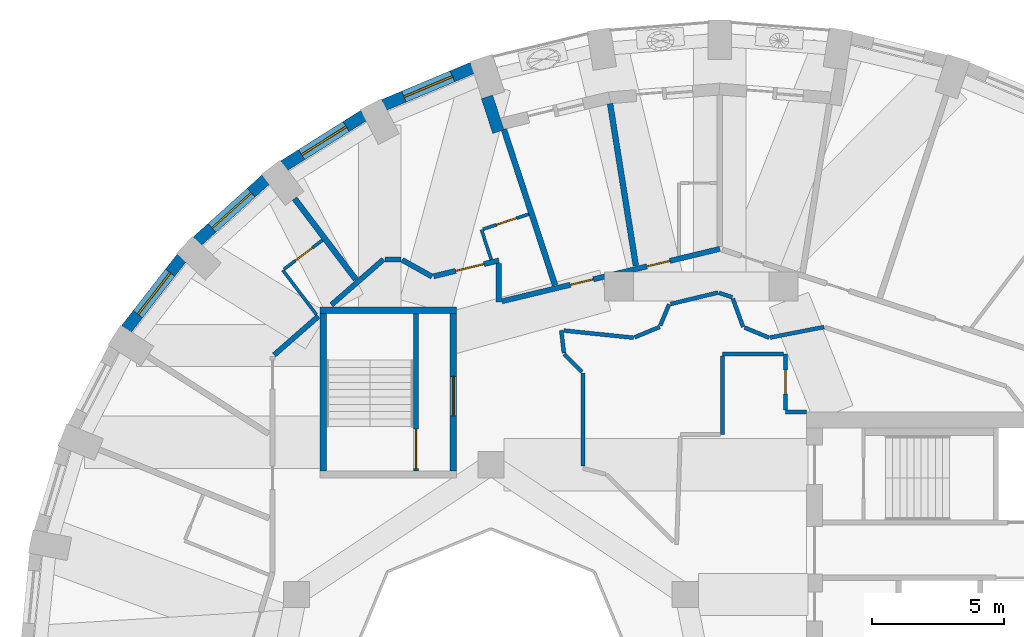
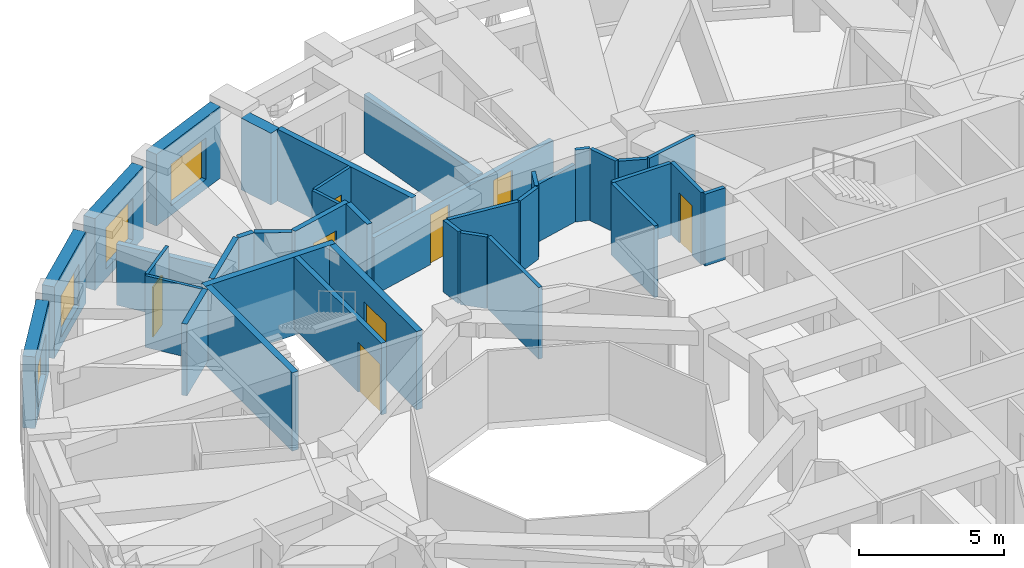
# One storey, part 7 of 12: 38 walls, 8 doors, 4 windows, 12 openings.
"""IFC4 building model written with IfcOpenShell, lengths in metres."""

from ifc_helpers import new_model, si_unit, direction, frame, frame_2d, origin, place, context, subcontext, project, spatial, rectangle, extrude, material, layer, layer_set, type_object, element, fill, save


model = new_model("IFC4")

# Units and contexts
model_context = context("Model", 3, precision=1e-05, world=origin(), true_north=direction((0.0, 1.0)))
body_context = subcontext(model_context, "Body", "Model", "MODEL_VIEW")
ifc_project = project(units=[si_unit("LENGTHUNIT", "METRE"), si_unit("AREAUNIT", "SQUARE_METRE"), si_unit("VOLUMEUNIT", "CUBIC_METRE"), si_unit("PLANEANGLEUNIT", "RADIAN"), si_unit("MASSUNIT", "GRAM", prefix="KILO")], contexts=[model_context])

# Site, building, storey
site_placement = place(None, origin())
site = spatial("IfcSite", under=ifc_project, at=site_placement, CompositionType="ELEMENT")
building_placement = place(site_placement, origin())
building = spatial("IfcBuilding", under=site, at=building_placement, Name="Taillehof Tower", CompositionType="ELEMENT")
storey_placement = place(building_placement, frame((0.0, 0.0, 218.89990234375)))
storey = spatial("IfcBuildingStorey", under=building, at=storey_placement, Name="L62", CompositionType="ELEMENT", Elevation=218.89990234375)

# Wall, opening, window
ifc_material_1 = material(Name="Brick masonry", Category="masonry")
ifc_layer_1 = layer(ifc_material_1, 0.449951171875)
ifc_layer_set_1 = layer_set([ifc_layer_1], Name="Brick infill wall 450")
wall_type_1 = type_object("IfcWallType", Name="Brick infill wall 450", PredefinedType="SOLIDWALL", material=ifc_layer_set_1)
wall_1_placement = place(storey_placement, frame((-8.70263671875, 23.0791015625, 0.0), z_axis=(0.0, 0.0, 1.0), x_axis=(-0.922168222612, -0.386789050006, 0.0)))
wall_1 = element("IfcWall", 1, at=wall_1_placement, inside=storey, type_object=wall_type_1, Name="Brick wall L62 bay 12", PredefinedType="SOLIDWALL", context=body_context, shape_type="SweptSolid", body=[
    extrude(rectangle(XDim=3.65087890625, YDim=0.449951171875, at=frame_2d((1.825439453125, 0.0))), origin(), (0.0, 0.0, 1.0), 3.02001953125),
])
opening_1_placement = place(wall_1_placement, frame((0.825439453125, 0.0, 0.39990234375)))
opening_1 = element("IfcOpeningElement", 2, at=opening_1_placement, cuts=wall_1, Name="Opening W2", PredefinedType="OPENING", context=body_context, shape_type="SweptSolid", body=[
    extrude(rectangle(XDim=2.0, YDim=1.75, at=frame_2d((1.0, 0.875))), frame((0.0, 0.23486328125, 0.0), z_axis=(0.0, -1.0, 0.0), x_axis=(1.0, 0.0, 0.0)), (0.0, 0.0, 1.0), 0.469970703125),
])
ifc_material_2 = material(Name="Aluminium window frame with clear double glazing", Category="aluminium")
window_type = type_object("IfcWindowType", Name="Deep-set window 2000x1750", PartitioningType="SINGLE_PANEL", PredefinedType="WINDOW", material=ifc_material_2)
window_1_placement = place(opening_1_placement, origin())
window_1 = element("IfcWindow", 3, at=window_1_placement, inside=storey, type_object=window_type, Name="W2", OverallHeight=1.75, OverallWidth=2.0, PartitioningType="SINGLE_PANEL", PredefinedType="WINDOW", context=body_context, shape_type="SweptSolid", body=[
    extrude(rectangle(XDim=2.0, YDim=1.75, at=frame_2d((1.0, 0.875))), frame((0.0, 0.034912109375, 0.0), z_axis=(0.0, -1.0, 0.0), x_axis=(1.0, 0.0, 0.0)), (0.0, 0.0, 1.0), 0.06005859375),
])
fill(opening_1, window_1)

wall_2_placement = place(storey_placement, frame((-12.832275390625, 21.27001953125, 0.0), z_axis=(0.0, 0.0, 1.0), x_axis=(-0.846138482752, -0.532963101918, 0.0)))
wall_2 = element("IfcWall", 4, at=wall_2_placement, inside=storey, type_object=wall_type_1, Name="Brick wall L62 bay 13", PredefinedType="SOLIDWALL", context=body_context, shape_type="SweptSolid", body=[
    extrude(rectangle(XDim=3.586669921875, YDim=0.449951171875, at=frame_2d((1.79345703125, 0.0))), origin(), (0.0, 0.0, 1.0), 3.02001953125),
])
opening_2_placement = place(wall_2_placement, frame((0.79345703125, 0.0, 0.39990234375)))
opening_2 = element("IfcOpeningElement", 5, at=opening_2_placement, cuts=wall_2, Name="Opening W2", PredefinedType="OPENING", context=body_context, shape_type="SweptSolid", body=[
    extrude(rectangle(XDim=2.0, YDim=1.75, at=frame_2d((1.0, 0.875))), frame((0.0, 0.23486328125, 0.0), z_axis=(0.0, -1.0, 0.0), x_axis=(1.0, 0.0, 0.0)), (0.0, 0.0, 1.0), 0.469970703125),
])
window_2_placement = place(opening_2_placement, origin())
window_2 = element("IfcWindow", 6, at=window_2_placement, inside=storey, type_object=window_type, Name="W2", OverallHeight=1.75, OverallWidth=2.0, PartitioningType="SINGLE_PANEL", PredefinedType="WINDOW", context=body_context, shape_type="SweptSolid", body=[
    extrude(rectangle(XDim=2.0, YDim=1.75, at=frame_2d((1.0, 0.875))), frame((0.0, 0.034912109375, 0.0), z_axis=(0.0, -1.0, 0.0), x_axis=(1.0, 0.0, 0.0)), (0.0, 0.0, 1.0), 0.06005859375),
])
fill(opening_2, window_2)

wall_3_placement = place(storey_placement, frame((-16.553466796875, 18.83984375, 0.0), z_axis=(0.0, 0.0, 1.0), x_axis=(-0.743442727602, -0.668799604348, 0.0)))
wall_3 = element("IfcWall", 7, at=wall_3_placement, inside=storey, type_object=wall_type_1, Name="Brick wall L62 bay 14", PredefinedType="SOLIDWALL", context=body_context, shape_type="SweptSolid", body=[
    extrude(rectangle(XDim=3.5126953125, YDim=0.449951171875, at=frame_2d((1.75634765625, 0.0))), origin(), (0.0, 0.0, 1.0), 3.02001953125),
])
opening_3_placement = place(wall_3_placement, frame((0.75634765625, 0.0, 0.39990234375)))
opening_3 = element("IfcOpeningElement", 8, at=opening_3_placement, cuts=wall_3, Name="Opening W2", PredefinedType="OPENING", context=body_context, shape_type="SweptSolid", body=[
    extrude(rectangle(XDim=2.0, YDim=1.75, at=frame_2d((1.0, 0.875))), frame((0.0, 0.23486328125, 0.0), z_axis=(0.0, -1.0, 0.0), x_axis=(1.0, 0.0, 0.0)), (0.0, 0.0, 1.0), 0.469970703125),
])
window_3_placement = place(opening_3_placement, origin())
window_3 = element("IfcWindow", 9, at=window_3_placement, inside=storey, type_object=window_type, Name="W2", OverallHeight=1.75, OverallWidth=2.0, PartitioningType="SINGLE_PANEL", PredefinedType="WINDOW", context=body_context, shape_type="SweptSolid", body=[
    extrude(rectangle(XDim=2.0, YDim=1.75, at=frame_2d((1.0, 0.875))), frame((0.0, 0.034912109375, 0.0), z_axis=(0.0, -1.0, 0.0), x_axis=(1.0, 0.0, 0.0)), (0.0, 0.0, 1.0), 0.06005859375),
])
fill(opening_3, window_3)

wall_4_placement = place(storey_placement, frame((-19.751220703125, 15.861083984375, 0.0), z_axis=(0.0, 0.0, 1.0), x_axis=(-0.614220816451, -0.789134201919, 0.0)))
wall_4 = element("IfcWall", 10, at=wall_4_placement, inside=storey, type_object=wall_type_1, Name="Brick wall L62 bay 15", PredefinedType="SOLIDWALL", context=body_context, shape_type="SweptSolid", body=[
    extrude(rectangle(XDim=3.437744140625, YDim=0.449951171875, at=frame_2d((1.71875, 0.0))), origin(), (0.0, 0.0, 1.0), 3.02001953125),
])
opening_4_placement = place(wall_4_placement, frame((0.71875, 0.0, 0.39990234375)))
opening_4 = element("IfcOpeningElement", 11, at=opening_4_placement, cuts=wall_4, Name="Opening W2", PredefinedType="OPENING", context=body_context, shape_type="SweptSolid", body=[
    extrude(rectangle(XDim=2.0, YDim=1.75, at=frame_2d((1.0, 0.875))), frame((0.0, 0.23486328125, 0.0), z_axis=(0.0, -1.0, 0.0), x_axis=(1.0, 0.0, 0.0)), (0.0, 0.0, 1.0), 0.469970703125),
])
window_4_placement = place(opening_4_placement, origin())
window_4 = element("IfcWindow", 12, at=window_4_placement, inside=storey, type_object=window_type, Name="W2", OverallHeight=1.75, OverallWidth=2.0, PartitioningType="SINGLE_PANEL", PredefinedType="WINDOW", context=body_context, shape_type="SweptSolid", body=[
    extrude(rectangle(XDim=2.0, YDim=1.75, at=frame_2d((1.0, 0.875))), frame((0.0, 0.034912109375, 0.0), z_axis=(0.0, -1.0, 0.0), x_axis=(1.0, 0.0, 0.0)), (0.0, 0.0, 1.0), 0.06005859375),
])
fill(opening_4, window_4)

# Walls
wall_5_placement = place(storey_placement, frame((-8.14990234375, 21.9765625, 0.0), z_axis=(0.0, 0.0, 1.0), x_axis=(0.312062715826, -0.950061504005, 0.0)))
element("IfcWall", 13, at=wall_5_placement, inside=storey, type_object=wall_type_1, Name="Brick reveal L62 pocket 2", PredefinedType="SOLIDWALL", context=body_context, shape_type="SweptSolid", body=[
    extrude(rectangle(XDim=1.39013671875, YDim=0.449951171875, at=frame_2d((0.695068359375, 0.0))), origin(), (0.0, 0.0, 1.0), 3.02001953125),
])
ifc_material_3 = material(Name="Gypsum board on steel studs, two layers each side", Category="steel")
ifc_layer_2 = layer(ifc_material_3, 0.199951171875)
ifc_layer_set_2 = layer_set([ifc_layer_2], Name="Compartment wall corridor 200")
wall_type_2 = type_object("IfcWallType", Name="Compartment wall corridor 200", PredefinedType="PARTITIONING", material=ifc_layer_set_2)
wall_6_placement = place(storey_placement, frame((-16.239501953125, 12.167724609375, 0.0), z_axis=(0.0, 0.0, 1.0), x_axis=(0.752820521129, 0.658225844956, 0.0)))
element("IfcWall", 14, at=wall_6_placement, inside=storey, type_object=wall_type_2, Name="Compartment wall", PredefinedType="PARTITIONING", context=body_context, shape_type="SweptSolid", body=[
    extrude(rectangle(XDim=2.232421875, YDim=0.199951171875, at=frame_2d((1.1162109375, 0.0))), origin(), (0.0, 0.0, 1.0), 3.02001953125),
])
wall_7_placement = place(storey_placement, frame((-14.062744140625, 14.071044921875, 0.0), z_axis=(0.0, 0.0, 1.0), x_axis=(0.752870230185, 0.6581689878, 0.0)))
element("IfcWall", 15, at=wall_7_placement, inside=storey, type_object=wall_type_2, Name="Compartment wall", PredefinedType="PARTITIONING", context=body_context, shape_type="SweptSolid", body=[
    extrude(rectangle(XDim=2.626953125, YDim=0.199951171875, at=frame_2d((1.3134765625, 0.0))), origin(), (0.0, 0.0, 1.0), 3.02001953125),
])
wall_8_placement = place(storey_placement, frame((-12.02490234375, 15.800048828125, 0.0), z_axis=(0.0, 0.0, 1.0), x_axis=(1.0, 0.0, 0.0)))
element("IfcWall", 16, at=wall_8_placement, inside=storey, type_object=wall_type_2, Name="Compartment wall", PredefinedType="PARTITIONING", context=body_context, shape_type="SweptSolid", body=[
    extrude(rectangle(XDim=0.614501953125, YDim=0.199951171875, at=frame_2d((0.30712890625, 0.0))), origin(), (0.0, 0.0, 1.0), 3.02001953125),
])
wall_9_placement = place(storey_placement, frame((-11.375244140625, 15.780517578125, 0.0), z_axis=(0.0, 0.0, 1.0), x_axis=(0.873538410035, -0.486755222051, 0.0)))
element("IfcWall", 17, at=wall_9_placement, inside=storey, type_object=wall_type_2, Name="Compartment wall", PredefinedType="PARTITIONING", context=body_context, shape_type="SweptSolid", body=[
    extrude(rectangle(XDim=1.303955078125, YDim=0.199951171875, at=frame_2d((0.65185546875, 0.0))), origin(), (0.0, 0.0, 1.0), 3.02001953125),
])

# Wall, opening, door
wall_10_placement = place(storey_placement, frame((-10.177490234375, 15.15966796875, 0.0), z_axis=(0.0, 0.0, 1.0), x_axis=(0.971984190663, 0.235046236094, 0.0)))
wall_10 = element("IfcWall", 18, at=wall_10_placement, inside=storey, type_object=wall_type_2, Name="Compartment wall", PredefinedType="PARTITIONING", context=body_context, shape_type="SweptSolid", body=[
    extrude(rectangle(XDim=2.548828125, YDim=0.199951171875, at=frame_2d((1.2744140625, 0.0))), origin(), (0.0, 0.0, 1.0), 3.02001953125),
])
opening_5_placement = place(wall_10_placement, frame((0.864501953125, 0.0, 0.0)))
opening_5 = element("IfcOpeningElement", 19, at=opening_5_placement, cuts=wall_10, Name="Opening D6247", PredefinedType="OPENING", context=body_context, shape_type="SweptSolid", body=[
    extrude(rectangle(XDim=1.10009765625, YDim=2.10009765625, at=frame_2d((0.550048828125, 1.050048828125))), frame((0.0, 0.10986328125, 0.0), z_axis=(0.0, -1.0, 0.0), x_axis=(1.0, 0.0, 0.0)), (0.0, 0.0, 1.0), 0.219970703125),
])
ifc_material_4 = material(Name="Timber door leaf in steel frame", Category="steel")
door_type_1 = type_object("IfcDoorType", Name="Suite entrance door EI 30 1100 x 2100", OperationType="SINGLE_SWING_LEFT", PredefinedType="DOOR", material=ifc_material_4)
door_1_placement = place(opening_5_placement, origin())
door_1 = element("IfcDoor", 20, at=door_1_placement, inside=storey, type_object=door_type_1, Name="D6247", OperationType="SINGLE_SWING_RIGHT", OverallHeight=2.10009765625, OverallWidth=1.10009765625, PredefinedType="DOOR", context=body_context, shape_type="SweptSolid", body=[
    extrude(rectangle(XDim=1.10009765625, YDim=2.10009765625, at=frame_2d((0.550048828125, 1.050048828125))), frame((0.0, 0.02490234375, 0.0), z_axis=(0.0, -1.0, 0.0), x_axis=(1.0, 0.0, 0.0)), (0.0, 0.0, 1.0), 0.050048828125),
])
fill(opening_5, door_1)

# Wall
wall_11_placement = place(storey_placement, frame((-7.699951171875, 15.638671875, 0.0), z_axis=(0.0, 0.0, 1.0), x_axis=(0.0, -1.0, 0.0)))
element("IfcWall", 21, at=wall_11_placement, inside=storey, type_object=wall_type_2, Name="Compartment wall", PredefinedType="PARTITIONING", context=body_context, shape_type="SweptSolid", body=[
    extrude(rectangle(XDim=1.458251953125, YDim=0.199951171875, at=frame_2d((0.72900390625, 0.0))), origin(), (0.0, 0.0, 1.0), 3.02001953125),
])

# Wall, openings, doors
wall_12_placement = place(storey_placement, frame((-7.582763671875, 14.208251953125, 0.0), z_axis=(0.0, 0.0, 1.0), x_axis=(0.972284712223, 0.233799996531, 0.0)))
wall_12 = element("IfcWall", 22, at=wall_12_placement, inside=storey, type_object=wall_type_2, Name="Compartment wall", PredefinedType="PARTITIONING", context=body_context, shape_type="SweptSolid", body=[
    extrude(rectangle(XDim=8.518798828125, YDim=0.199951171875, at=frame_2d((4.25927734375, 0.0))), origin(), (0.0, 0.0, 1.0), 2.420166015625),
])
opening_6_placement = place(wall_12_placement, frame((5.66650390625, 0.0, 0.0)))
opening_6 = element("IfcOpeningElement", 23, at=opening_6_placement, cuts=wall_12, Name="Opening D6244", PredefinedType="OPENING", context=body_context, shape_type="SweptSolid", body=[
    extrude(rectangle(XDim=0.89990234375, YDim=2.10009765625, at=frame_2d((0.449951171875, 1.050048828125))), frame((0.0, 0.10986328125, 0.0), z_axis=(0.0, -1.0, 0.0), x_axis=(1.0, 0.0, 0.0)), (0.0, 0.0, 1.0), 0.219970703125),
])
opening_7_placement = place(wall_12_placement, frame((2.67431640625, 0.0, 0.0)))
opening_7 = element("IfcOpeningElement", 24, at=opening_7_placement, cuts=wall_12, Name="Opening D6246", PredefinedType="OPENING", context=body_context, shape_type="SweptSolid", body=[
    extrude(rectangle(XDim=0.89990234375, YDim=2.10009765625, at=frame_2d((0.449951171875, 1.050048828125))), frame((0.0, 0.10986328125, 0.0), z_axis=(0.0, -1.0, 0.0), x_axis=(1.0, 0.0, 0.0)), (0.0, 0.0, 1.0), 0.219970703125),
])
ifc_material_5 = material(Name="Timber door leaf in steel frame", Category="steel")
door_type_2 = type_object("IfcDoorType", Name="Guest room door EI 30 900 x 2100", OperationType="SINGLE_SWING_LEFT", PredefinedType="DOOR", material=ifc_material_5)
door_2_placement = place(opening_6_placement, origin())
door_2 = element("IfcDoor", 25, at=door_2_placement, inside=storey, type_object=door_type_2, Name="D6244", OperationType="SINGLE_SWING_LEFT", OverallHeight=2.10009765625, OverallWidth=0.89990234375, PredefinedType="DOOR", context=body_context, shape_type="SweptSolid", body=[
    extrude(rectangle(XDim=0.89990234375, YDim=2.10009765625, at=frame_2d((0.449951171875, 1.050048828125))), frame((0.0, 0.02490234375, 0.0), z_axis=(0.0, -1.0, 0.0), x_axis=(1.0, 0.0, 0.0)), (0.0, 0.0, 1.0), 0.050048828125),
])
fill(opening_6, door_2)
ifc_material_6 = material(Name="Timber door leaf in steel frame", Category="steel")
door_type_3 = type_object("IfcDoorType", Name="Service room door EI 30 900 x 2100", OperationType="SINGLE_SWING_LEFT", PredefinedType="DOOR", material=ifc_material_6)
door_3_placement = place(opening_7_placement, origin())
door_3 = element("IfcDoor", 26, at=door_3_placement, inside=storey, type_object=door_type_3, Name="D6246", OperationType="SINGLE_SWING_LEFT", OverallHeight=2.10009765625, OverallWidth=0.89990234375, PredefinedType="DOOR", context=body_context, shape_type="SweptSolid", body=[
    extrude(rectangle(XDim=0.89990234375, YDim=2.10009765625, at=frame_2d((0.449951171875, 1.050048828125))), frame((0.0, 0.02490234375, 0.0), z_axis=(0.0, -1.0, 0.0), x_axis=(1.0, 0.0, 0.0)), (0.0, 0.0, 1.0), 0.050048828125),
])
fill(opening_7, door_3)

# Walls
ifc_material_7 = material(Name="Gypsum board on double steel studs with mineral wool", Category="steel")
ifc_layer_3 = layer(ifc_material_7, 0.219970703125)
ifc_layer_set_3 = layer_set([ifc_layer_3], Name="Compartment wall guest room 220")
wall_type_3 = type_object("IfcWallType", Name="Compartment wall guest room 220", PredefinedType="PARTITIONING", material=ifc_layer_set_3)
wall_13_placement = place(storey_placement, frame((-3.470947265625, 21.719482421875, 0.0), z_axis=(0.0, 0.0, 1.0), x_axis=(0.157105510173, -0.987581823786, 0.0)))
element("IfcWall", 27, at=wall_13_placement, inside=storey, type_object=wall_type_3, Name="Compartment wall", PredefinedType="PARTITIONING", context=body_context, shape_type="SweptSolid", body=[
    extrude(rectangle(XDim=6.24072265625, YDim=0.219970703125, at=frame_2d((3.120361328125, 0.0))), origin(), (0.0, 0.0, 1.0), 2.47021484375),
])
wall_14_placement = place(storey_placement, frame((-7.508056640625, 20.743408203125, 0.0), z_axis=(0.0, 0.0, 1.0), x_axis=(0.311985211021, -0.95008695818, 0.0)))
element("IfcWall", 28, at=wall_14_placement, inside=storey, type_object=wall_type_3, Name="Compartment wall", PredefinedType="PARTITIONING", context=body_context, shape_type="SweptSolid", body=[
    extrude(rectangle(XDim=6.23681640625, YDim=0.219970703125, at=frame_2d((3.118408203125, 0.0))), origin(), (0.0, 0.0, 1.0), 3.02001953125),
])
wall_15_placement = place(storey_placement, frame((-15.46337890625, 18.112548828125, 0.0), z_axis=(0.0, 0.0, 1.0), x_axis=(0.603591792806, -0.79729351412, 0.0)))
element("IfcWall", 29, at=wall_15_placement, inside=storey, type_object=wall_type_3, Name="Compartment wall", PredefinedType="PARTITIONING", context=body_context, shape_type="SweptSolid", body=[
    extrude(rectangle(XDim=3.854248046875, YDim=0.219970703125, at=frame_2d((1.92724609375, 0.0))), origin(), (0.0, 0.0, 1.0), 2.570068359375),
])
ifc_material_8 = material(Name="Gypsum board on steel studs, two layers each side", Category="steel")
ifc_layer_4 = layer(ifc_material_8, 0.14990234375)
ifc_layer_set_4 = layer_set([ifc_layer_4], Name="Compartment wall service room 150")
wall_type_4 = type_object("IfcWallType", Name="Compartment wall service room 150", PredefinedType="PARTITIONING", material=ifc_layer_set_4)
wall_16_placement = place(storey_placement, frame((4.0009765625, 10.0, 0.0), z_axis=(0.0, 0.0, 1.0), x_axis=(-1.0, 0.0, 0.0)))
element("IfcWall", 30, at=wall_16_placement, inside=storey, type_object=wall_type_4, Name="Compartment wall", PredefinedType="PARTITIONING", context=body_context, shape_type="SweptSolid", body=[
    extrude(rectangle(XDim=0.801025390625, YDim=0.14990234375, at=frame_2d((0.400390625, 0.0))), origin(), (0.0, 0.0, 1.0), 3.02001953125),
])

# Wall, opening, door
wall_17_placement = place(storey_placement, frame((3.199951171875, 10.080078125, 0.0), z_axis=(0.0, 0.0, 1.0), x_axis=(0.0, 1.0, 0.0)))
wall_17 = element("IfcWall", 31, at=wall_17_placement, inside=storey, type_object=wall_type_4, Name="Compartment wall", PredefinedType="PARTITIONING", context=body_context, shape_type="SweptSolid", body=[
    extrude(rectangle(XDim=2.119873046875, YDim=0.14990234375, at=frame_2d((1.06005859375, 0.0))), origin(), (0.0, 0.0, 1.0), 3.02001953125),
])
opening_8_placement = place(wall_17_placement, frame((0.60986328125, 0.0, 0.0)))
opening_8 = element("IfcOpeningElement", 32, at=opening_8_placement, cuts=wall_17, Name="Opening D6268", PredefinedType="OPENING", context=body_context, shape_type="SweptSolid", body=[
    extrude(rectangle(XDim=0.89990234375, YDim=2.10009765625, at=frame_2d((0.449951171875, 1.050048828125))), frame((0.0, 0.0849609375, 0.0), z_axis=(0.0, -1.0, 0.0), x_axis=(1.0, 0.0, 0.0)), (0.0, 0.0, 1.0), 0.169921875),
])
door_4_placement = place(opening_8_placement, origin())
door_4 = element("IfcDoor", 33, at=door_4_placement, inside=storey, type_object=door_type_3, Name="D6268", OperationType="SINGLE_SWING_RIGHT", OverallHeight=2.10009765625, OverallWidth=0.89990234375, PredefinedType="DOOR", context=body_context, shape_type="SweptSolid", body=[
    extrude(rectangle(XDim=0.89990234375, YDim=2.10009765625, at=frame_2d((0.449951171875, 1.050048828125))), frame((0.0, 0.02490234375, 0.0), z_axis=(0.0, -1.0, 0.0), x_axis=(1.0, 0.0, 0.0)), (0.0, 0.0, 1.0), 0.050048828125),
])
fill(opening_8, door_4)

# Walls
wall_18_placement = place(storey_placement, frame((3.119873046875, 12.199951171875, 0.0), z_axis=(0.0, 0.0, 1.0), x_axis=(-1.0, 0.0, 0.0)))
element("IfcWall", 34, at=wall_18_placement, inside=storey, type_object=wall_type_4, Name="Compartment wall", PredefinedType="PARTITIONING", context=body_context, shape_type="SweptSolid", body=[
    extrude(rectangle(XDim=2.31982421875, YDim=0.14990234375, at=frame_2d((1.159912109375, 0.0))), origin(), (0.0, 0.0, 1.0), 3.02001953125),
])
wall_19_placement = place(storey_placement, frame((0.800048828125, 12.119873046875, 0.0), z_axis=(0.0, 0.0, 1.0), x_axis=(0.0, -1.0, 0.0)))
element("IfcWall", 35, at=wall_19_placement, inside=storey, type_object=wall_type_4, Name="Compartment wall", PredefinedType="PARTITIONING", context=body_context, shape_type="SweptSolid", body=[
    extrude(rectangle(XDim=2.969970703125, YDim=0.14990234375, at=frame_2d((1.48486328125, 0.0))), origin(), (0.0, 0.0, 1.0), 3.02001953125),
])
wall_20_placement = place(storey_placement, frame((-4.5, 7.942138671875, 0.0), z_axis=(0.0, 0.0, 1.0), x_axis=(0.0, 1.0, 0.0)))
element("IfcWall", 36, at=wall_20_placement, inside=storey, type_object=wall_type_4, Name="Compartment wall", PredefinedType="PARTITIONING", context=body_context, shape_type="SweptSolid", body=[
    extrude(rectangle(XDim=3.537841796875, YDim=0.14990234375, at=frame_2d((1.76904296875, 0.0))), origin(), (0.0, 0.0, 1.0), 3.02001953125),
])
wall_21_placement = place(storey_placement, frame((-4.54248046875, 11.5224609375, 0.0), z_axis=(0.0, 0.0, 1.0), x_axis=(-0.707106781187, 0.707106781187, 0.0)))
element("IfcWall", 37, at=wall_21_placement, inside=storey, type_object=wall_type_4, Name="Compartment wall", PredefinedType="PARTITIONING", context=body_context, shape_type="SweptSolid", body=[
    extrude(rectangle(XDim=0.9580078125, YDim=0.14990234375, at=frame_2d((0.47900390625, 0.0))), origin(), (0.0, 0.0, 1.0), 3.02001953125),
])
wall_22_placement = place(storey_placement, frame((-5.224853515625, 12.239501953125, 0.0), z_axis=(0.0, 0.0, 1.0), x_axis=(-0.117621146984, 0.993058540964, 0.0)))
element("IfcWall", 38, at=wall_22_placement, inside=storey, type_object=wall_type_4, Name="Compartment wall", PredefinedType="PARTITIONING", context=body_context, shape_type="SweptSolid", body=[
    extrude(rectangle(XDim=0.871826171875, YDim=0.14990234375, at=frame_2d((0.43603515625, 0.0))), origin(), (0.0, 0.0, 1.0), 3.02001953125),
])
wall_23_placement = place(storey_placement, frame((-5.228515625, 13.095458984375, 0.0), z_axis=(0.0, 0.0, 1.0), x_axis=(0.994729851422, -0.102530593925, 0.0)))
element("IfcWall", 39, at=wall_23_placement, inside=storey, type_object=wall_type_4, Name="Compartment wall", PredefinedType="PARTITIONING", context=body_context, shape_type="SweptSolid", body=[
    extrude(rectangle(XDim=2.6669921875, YDim=0.14990234375, at=frame_2d((1.33349609375, 0.0))), origin(), (0.0, 0.0, 1.0), 3.02001953125),
])
wall_24_placement = place(storey_placement, frame((-2.53857421875, 12.837158203125, 0.0), z_axis=(0.0, 0.0, 1.0), x_axis=(0.923768662954, 0.382950985565, 0.0)))
element("IfcWall", 40, at=wall_24_placement, inside=storey, type_object=wall_type_4, Name="Compartment wall", PredefinedType="PARTITIONING", context=body_context, shape_type="SweptSolid", body=[
    extrude(rectangle(XDim=1.031494140625, YDim=0.14990234375, at=frame_2d((0.515625, 0.0))), origin(), (0.0, 0.0, 1.0), 3.02001953125),
])
wall_25_placement = place(storey_placement, frame((-1.56298828125, 13.287841796875, 0.0), z_axis=(0.0, 0.0, 1.0), x_axis=(0.383038417634, 0.923732412886, 0.0)))
element("IfcWall", 41, at=wall_25_placement, inside=storey, type_object=wall_type_4, Name="Compartment wall", PredefinedType="PARTITIONING", context=body_context, shape_type="SweptSolid", body=[
    extrude(rectangle(XDim=0.86865234375, YDim=0.14990234375, at=frame_2d((0.434326171875, 0.0))), origin(), (0.0, 0.0, 1.0), 3.02001953125),
])
wall_26_placement = place(storey_placement, frame((-1.171630859375, 14.104248046875, 0.0), z_axis=(0.0, 0.0, 1.0), x_axis=(0.972260724841, 0.233899728371, 0.0)))
element("IfcWall", 42, at=wall_26_placement, inside=storey, type_object=wall_type_4, Name="Compartment wall", PredefinedType="PARTITIONING", context=body_context, shape_type="SweptSolid", body=[
    extrude(rectangle(XDim=1.85791015625, YDim=0.14990234375, at=frame_2d((0.928955078125, 0.0))), origin(), (0.0, 0.0, 1.0), 2.420166015625),
])
wall_27_placement = place(storey_placement, frame((0.6728515625, 14.526611328125, 0.0), z_axis=(0.0, 0.0, 1.0), x_axis=(0.950966196829, -0.309294831008, 0.0)))
element("IfcWall", 43, at=wall_27_placement, inside=storey, type_object=wall_type_4, Name="Compartment wall", PredefinedType="PARTITIONING", context=body_context, shape_type="SweptSolid", body=[
    extrude(rectangle(XDim=0.52880859375, YDim=0.14990234375, at=frame_2d((0.264404296875, 0.0))), origin(), (0.0, 0.0, 1.0), 3.02001953125),
])
wall_28_placement = place(storey_placement, frame((1.1962890625, 14.306640625, 0.0), z_axis=(0.0, 0.0, 1.0), x_axis=(0.340730877952, -0.940160873899, 0.0)))
element("IfcWall", 44, at=wall_28_placement, inside=storey, type_object=wall_type_4, Name="Compartment wall", PredefinedType="PARTITIONING", context=body_context, shape_type="SweptSolid", body=[
    extrude(rectangle(XDim=1.142822265625, YDim=0.14990234375, at=frame_2d((0.5712890625, 0.0))), origin(), (0.0, 0.0, 1.0), 3.02001953125),
])
wall_29_placement = place(storey_placement, frame((1.641357421875, 13.20947265625, 0.0), z_axis=(0.0, 0.0, 1.0), x_axis=(0.923725449546, -0.383055209937, 0.0)))
element("IfcWall", 45, at=wall_29_placement, inside=storey, type_object=wall_type_4, Name="Compartment wall", PredefinedType="PARTITIONING", context=body_context, shape_type="SweptSolid", body=[
    extrude(rectangle(XDim=1.011474609375, YDim=0.14990234375, at=frame_2d((0.505859375, 0.0))), origin(), (0.0, 0.0, 1.0), 3.02001953125),
])
wall_30_placement = place(storey_placement, frame((2.61474609375, 12.829833984375, 0.0), z_axis=(0.0, 0.0, 1.0), x_axis=(0.98140512634, 0.191947852276, 0.0)))
element("IfcWall", 46, at=wall_30_placement, inside=storey, type_object=wall_type_4, Name="Compartment wall", PredefinedType="PARTITIONING", context=body_context, shape_type="SweptSolid", body=[
    extrude(rectangle(XDim=2.084716796875, YDim=0.14990234375, at=frame_2d((1.04248046875, 0.0))), origin(), (0.0, 0.0, 1.0), 3.02001953125),
])
ifc_material_9 = material(Name="Gypsum board on steel studs, moisture resistant", Category="steel")
ifc_layer_5 = layer(ifc_material_9, 0.1201171875)
ifc_layer_set_5 = layer_set([ifc_layer_5], Name="En-suite wall 120")
wall_type_5 = type_object("IfcWallType", Name="En-suite wall 120", PredefinedType="PARTITIONING", material=ifc_layer_set_5)
wall_31_placement = place(storey_placement, frame((-7.987060546875, 15.792236328125, 0.0), z_axis=(0.0, 0.0, 1.0), x_axis=(-0.312187467963, 0.950020518119, 0.0)))
element("IfcWall", 47, at=wall_31_placement, inside=storey, type_object=wall_type_5, Name="En-suite wall", PredefinedType="PARTITIONING", context=body_context, shape_type="SweptSolid", body=[
    extrude(rectangle(XDim=1.197265625, YDim=0.1201171875, at=frame_2d((0.5986328125, 0.0))), origin(), (0.0, 0.0, 1.0), 3.02001953125),
])
wall_32_placement = place(storey_placement, frame((-14.63427734375, 13.7041015625, 0.0), z_axis=(0.0, 0.0, 1.0), x_axis=(-0.603613230526, 0.797277284221, 0.0)))
element("IfcWall", 48, at=wall_32_placement, inside=storey, type_object=wall_type_5, Name="En-suite wall", PredefinedType="PARTITIONING", context=body_context, shape_type="SweptSolid", body=[
    extrude(rectangle(XDim=2.115234375, YDim=0.1201171875, at=frame_2d((1.0576171875, 0.0))), origin(), (0.0, 0.0, 1.0), 3.02001953125),
])

# Wall, opening, door
wall_33_placement = place(storey_placement, frame((-8.303955078125, 16.948486328125, 0.0), z_axis=(0.0, 0.0, 1.0), x_axis=(0.95011423119, 0.311902144415, 0.0)))
wall_33 = element("IfcWall", 49, at=wall_33_placement, inside=storey, type_object=wall_type_5, Name="En-suite wall", PredefinedType="PARTITIONING", context=body_context, shape_type="SweptSolid", body=[
    extrude(rectangle(XDim=1.830078125, YDim=0.1201171875, at=frame_2d((0.9150390625, 0.0))), origin(), (0.0, 0.0, 1.0), 3.02001953125),
])
opening_9_placement = place(wall_33_placement, frame((0.540283203125, 0.0, 0.0)))
opening_9 = element("IfcOpeningElement", 50, at=opening_9_placement, cuts=wall_33, Name="Opening D6248", PredefinedType="OPENING", context=body_context, shape_type="SweptSolid", body=[
    extrude(rectangle(XDim=0.800048828125, YDim=2.10009765625, at=frame_2d((0.39990234375, 1.050048828125))), frame((0.0, 0.070068359375, 0.0), z_axis=(0.0, -1.0, 0.0), x_axis=(1.0, 0.0, 0.0)), (0.0, 0.0, 1.0), 0.14013671875),
])
ifc_material_10 = material(Name="Timber door leaf in steel frame", Category="steel")
door_type_4 = type_object("IfcDoorType", Name="En-suite door 800 x 2100", OperationType="SINGLE_SWING_LEFT", PredefinedType="DOOR", material=ifc_material_10)
door_5_placement = place(opening_9_placement, origin())
door_5 = element("IfcDoor", 51, at=door_5_placement, inside=storey, type_object=door_type_4, Name="D6248", OperationType="SINGLE_SWING_RIGHT", OverallHeight=2.10009765625, OverallWidth=0.800048828125, PredefinedType="DOOR", context=body_context, shape_type="SweptSolid", body=[
    extrude(rectangle(XDim=0.800048828125, YDim=2.10009765625, at=frame_2d((0.39990234375, 1.050048828125))), frame((0.0, 0.02490234375, 0.0), z_axis=(0.0, -1.0, 0.0), x_axis=(1.0, 0.0, 0.0)), (0.0, 0.0, 1.0), 0.050048828125),
])
fill(opening_9, door_5)

wall_34_placement = place(storey_placement, frame((-15.86328125, 15.4267578125, 0.0), z_axis=(0.0, 0.0, 1.0), x_axis=(0.79730226728, 0.603580230451, 0.0)))
wall_34 = element("IfcWall", 52, at=wall_34_placement, inside=storey, type_object=wall_type_5, Name="En-suite wall", PredefinedType="PARTITIONING", context=body_context, shape_type="SweptSolid", body=[
    extrude(rectangle(XDim=1.829833984375, YDim=0.1201171875, at=frame_2d((0.9150390625, 0.0))), origin(), (0.0, 0.0, 1.0), 3.02001953125),
])
opening_10_placement = place(wall_34_placement, frame((0.5400390625, 0.0, 0.0)))
opening_10 = element("IfcOpeningElement", 53, at=opening_10_placement, cuts=wall_34, Name="Opening D6250", PredefinedType="OPENING", context=body_context, shape_type="SweptSolid", body=[
    extrude(rectangle(XDim=0.800048828125, YDim=2.10009765625, at=frame_2d((0.39990234375, 1.050048828125))), frame((0.0, 0.070068359375, 0.0), z_axis=(0.0, -1.0, 0.0), x_axis=(1.0, 0.0, 0.0)), (0.0, 0.0, 1.0), 0.14013671875),
])
door_6_placement = place(opening_10_placement, origin())
door_6 = element("IfcDoor", 54, at=door_6_placement, inside=storey, type_object=door_type_4, Name="D6250", OperationType="SINGLE_SWING_RIGHT", OverallHeight=2.10009765625, OverallWidth=0.800048828125, PredefinedType="DOOR", context=body_context, shape_type="SweptSolid", body=[
    extrude(rectangle(XDim=0.800048828125, YDim=2.10009765625, at=frame_2d((0.39990234375, 1.050048828125))), frame((0.0, 0.02490234375, 0.0), z_axis=(0.0, -1.0, 0.0), x_axis=(1.0, 0.0, 0.0)), (0.0, 0.0, 1.0), 0.050048828125),
])
fill(opening_10, door_6)

ifc_material_11 = material(Name="Concrete C50/60", Category="concrete")
ifc_layer_6 = layer(ifc_material_11, 0.199951171875)
ifc_layer_set_6 = layer_set([ifc_layer_6], Name="Shaft wall C50/60 200")
wall_type_6 = type_object("IfcWallType", Name="Shaft wall C50/60 200", PredefinedType="SHEAR", material=ifc_layer_set_6)
wall_35_placement = place(storey_placement, frame((-10.85009765625, 7.75, 0.0), z_axis=(0.0, 0.0, 1.0), x_axis=(0.0, 1.0, 0.0)))
wall_35 = element("IfcWall", 55, at=wall_35_placement, inside=storey, type_object=wall_type_6, Name="Shaft wall SW", PredefinedType="SHEAR", context=body_context, shape_type="SweptSolid", body=[
    extrude(rectangle(XDim=6.0, YDim=0.199951171875, at=frame_2d((3.0, 0.0))), origin(), (0.0, 0.0, 1.0), 3.02001953125),
])
opening_11_placement = place(wall_35_placement, frame((0.10009765625, 0.0, 0.0)))
opening_11 = element("IfcOpeningElement", 56, at=opening_11_placement, cuts=wall_35, Name="Opening D6212", PredefinedType="OPENING", context=body_context, shape_type="SweptSolid", body=[
    extrude(rectangle(XDim=1.5, YDim=2.10009765625, at=frame_2d((0.75, 1.050048828125))), frame((0.0, 0.10986328125, 0.0), z_axis=(0.0, -1.0, 0.0), x_axis=(1.0, 0.0, 0.0)), (0.0, 0.0, 1.0), 0.219970703125),
])
ifc_material_12 = material(Name="Steel-faced fire door", Category="steel")
door_type_5 = type_object("IfcDoorType", Name="Stair door 1500x2100", OperationType="DOUBLE_DOOR_SINGLE_SWING", PredefinedType="DOOR", material=ifc_material_12)
door_7_placement = place(opening_11_placement, origin())
door_7 = element("IfcDoor", 57, at=door_7_placement, inside=storey, type_object=door_type_5, Name="Stair lobby door S3", OperationType="DOUBLE_DOOR_SINGLE_SWING", OverallHeight=2.10009765625, OverallWidth=1.5, PredefinedType="DOOR", context=body_context, shape_type="SweptSolid", body=[
    extrude(rectangle(XDim=1.5, YDim=2.10009765625, at=frame_2d((0.75, 1.050048828125))), frame((0.0, 0.02490234375, 0.0), z_axis=(0.0, -1.0, 0.0), x_axis=(1.0, 0.0, 0.0)), (0.0, 0.0, 1.0), 0.050048828125),
])
fill(opening_11, door_7)

# Wall
ifc_material_13 = material(Name="Concrete C50/60", Category="concrete")
ifc_layer_7 = layer(ifc_material_13, 0.25)
ifc_layer_set_7 = layer_set([ifc_layer_7], Name="Stair wall C50/60 250")
wall_type_7 = type_object("IfcWallType", Name="Stair wall C50/60 250", PredefinedType="SHEAR", material=ifc_layer_set_7)
wall_36_placement = place(storey_placement, frame((-14.375, 7.75, -0.27978515625), z_axis=(0.0, 0.0, 1.0), x_axis=(0.0, 1.0, 0.0)))
element("IfcWall", 58, at=wall_36_placement, inside=storey, type_object=wall_type_7, Name="Stair wall SC", PredefinedType="SHEAR", context=body_context, shape_type="SweptSolid", body=[
    extrude(rectangle(XDim=6.0, YDim=0.25, at=frame_2d((3.0, 0.0))), origin(), (0.0, 0.0, 1.0), 3.2998046875),
])

# Wall, opening, door
wall_37_placement = place(storey_placement, frame((-9.425048828125, 7.75, -0.27978515625), z_axis=(0.0, 0.0, 1.0), x_axis=(0.0, 1.0, 0.0)))
wall_37 = element("IfcWall", 59, at=wall_37_placement, inside=storey, type_object=wall_type_7, Name="Stair wall SC", PredefinedType="SHEAR", context=body_context, shape_type="SweptSolid", body=[
    extrude(rectangle(XDim=6.0, YDim=0.25, at=frame_2d((3.0, 0.0))), origin(), (0.0, 0.0, 1.0), 3.2998046875),
])
opening_12_placement = place(wall_37_placement, frame((2.10009765625, 0.0, 0.280029296875)))
opening_12 = element("IfcOpeningElement", 60, at=opening_12_placement, cuts=wall_37, Name="Opening D6215", PredefinedType="OPENING", context=body_context, shape_type="SweptSolid", body=[
    extrude(rectangle(XDim=1.5, YDim=2.10009765625, at=frame_2d((0.75, 1.050048828125))), frame((0.0, 0.135009765625, 0.0), z_axis=(0.0, -1.0, 0.0), x_axis=(1.0, 0.0, 0.0)), (0.0, 0.0, 1.0), 0.27001953125),
])
door_8_placement = place(opening_12_placement, origin())
door_8 = element("IfcDoor", 61, at=door_8_placement, inside=storey, type_object=door_type_5, Name="Stair door S3", OperationType="DOUBLE_DOOR_SINGLE_SWING", OverallHeight=2.10009765625, OverallWidth=1.5, PredefinedType="DOOR", context=body_context, shape_type="SweptSolid", body=[
    extrude(rectangle(XDim=1.5, YDim=2.10009765625, at=frame_2d((0.75, 1.050048828125))), frame((0.0, 0.02490234375, 0.0), z_axis=(0.0, -1.0, 0.0), x_axis=(1.0, 0.0, 0.0)), (0.0, 0.0, 1.0), 0.050048828125),
])
fill(opening_12, door_8)

# Wall
wall_38_placement = place(storey_placement, frame((-14.5, 13.875, -0.27978515625), z_axis=(0.0, 0.0, 1.0), x_axis=(1.0, 0.0, 0.0)))
element("IfcWall", 62, at=wall_38_placement, inside=storey, type_object=wall_type_7, Name="Stair wall SC", PredefinedType="SHEAR", context=body_context, shape_type="SweptSolid", body=[
    extrude(rectangle(XDim=5.199951171875, YDim=0.25, at=frame_2d((2.60009765625, 0.0))), origin(), (0.0, 0.0, 1.0), 3.2998046875),
])

save(model, "model.ifc")
